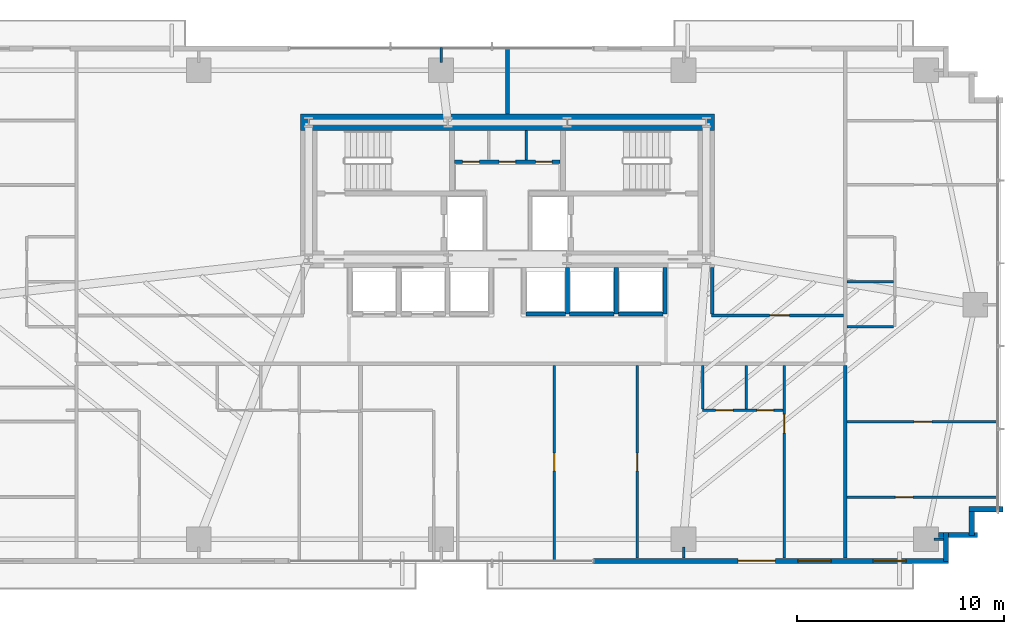
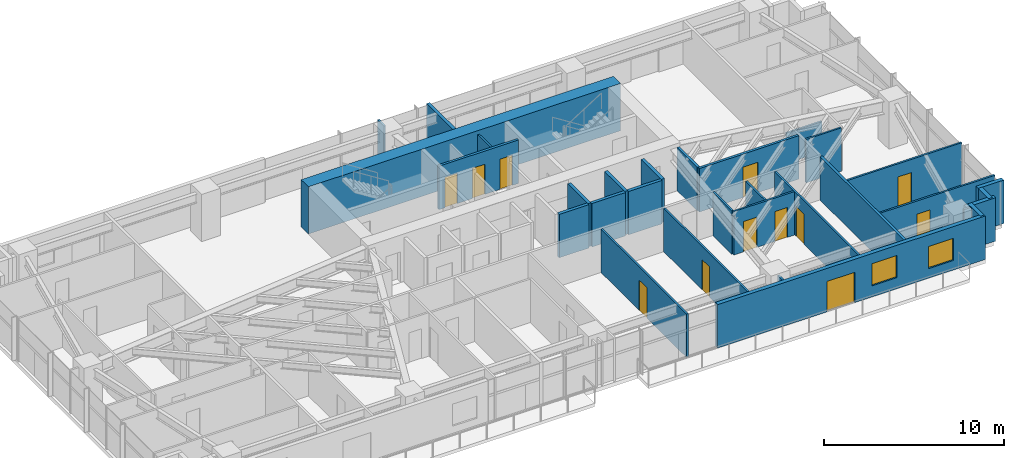
# One storey, part 21 of 25: 31 walls, 12 doors, 2 windows, 14 openings.
"""IFC4 building model written with IfcOpenShell, lengths in metres."""

from ifc_helpers import new_model, si_unit, direction, frame, frame_2d, origin, place, context, subcontext, project, spatial, rectangle, extrude, source, transform, mapped, material, layer, layer_set, type_object, type_shapes, element, fill, save


model = new_model("IFC4")

# Units and contexts
model_context = context("Model", 3, precision=1e-05, world=origin(), true_north=direction((0.0, 1.0)))
body_context = subcontext(model_context, "Body", "Model", "MODEL_VIEW")
ifc_project = project(units=[si_unit("LENGTHUNIT", "METRE"), si_unit("AREAUNIT", "SQUARE_METRE"), si_unit("VOLUMEUNIT", "CUBIC_METRE"), si_unit("PLANEANGLEUNIT", "RADIAN"), si_unit("MASSUNIT", "GRAM", prefix="KILO")], contexts=[model_context])

# Site, building, storey
site_placement = place(None, origin())
site = spatial("IfcSite", under=ifc_project, at=site_placement, CompositionType="ELEMENT")
building_placement = place(site_placement, origin())
building = spatial("IfcBuilding", under=site, at=building_placement, Name="Astriad Promenade Condominiums", CompositionType="ELEMENT")
storey_placement = place(building_placement, frame((0.0, 0.0, 29.39990234375)))
storey = spatial("IfcBuildingStorey", under=building, at=storey_placement, Name="L07", CompositionType="ELEMENT", Elevation=29.39990234375)

# Wall
ifc_material_1 = material(Name="Concrete C80/95", Category="concrete")
ifc_layer_1 = layer(ifc_material_1, 0.800048828125)
ifc_layer_set_1 = layer_set([ifc_layer_1], Name="Concrete C80/95")
wall_type_1 = type_object("IfcWallType", Name="CW-SHEAR-800", PredefinedType="SHEAR", material=ifc_layer_set_1)
wall_1_placement = place(storey_placement, frame((26.0, 24.0, 0.0), z_axis=(0.0, 0.0, 1.0), x_axis=(1.0, 0.0, 0.0)))
element("IfcWall", 1, at=wall_1_placement, inside=storey, type_object=wall_type_1, Name="CW-CORE-N-L07", PredefinedType="SHEAR", context=body_context, shape_type="SweptSolid", body=[
    extrude(rectangle(XDim=20.0, YDim=0.800048828125, at=frame_2d((10.0, 0.0))), origin(), (0.0, 0.0, 1.0), 3.2001953125),
])

# Wall, openings, doors
ifc_material_2 = material(Name="Fire-Rated Gypsum Partition")
ifc_layer_2 = layer(ifc_material_2, 0.159912109375)
ifc_layer_set_2 = layer_set([ifc_layer_2], Name="Fire-Rated Gypsum Partition")
wall_type_2 = type_object("IfcWallType", Name="WALL-CORR-160", PredefinedType="PARTITIONING", material=ifc_layer_set_2)
wall_2_placement = place(storey_placement, frame((33.451904296875, 22.10009765625, 0.0), z_axis=(0.0, 0.0, 1.0), x_axis=(1.0, 0.0, 0.0)))
wall_2 = element("IfcWall", 2, at=wall_2_placement, inside=storey, type_object=wall_type_2, Name="CW-AUX-N-L07", PredefinedType="PARTITIONING", context=body_context, shape_type="SweptSolid", body=[
    extrude(rectangle(XDim=5.09619140625, YDim=0.159912109375, at=frame_2d((2.548095703125, 0.0))), origin(), (0.0, 0.0, 1.0), 2.940185546875),
])
opening_1_placement = place(wall_2_placement, frame((0.387939453125, 0.0, 0.0)))
opening_1 = element("IfcOpeningElement", 3, at=opening_1_placement, cuts=wall_2, Name="Opening FD60-SV-080", PredefinedType="OPENING", context=body_context, shape_type="SweptSolid", body=[
    extrude(rectangle(XDim=0.800048828125, YDim=2.050048828125, at=frame_2d((0.39990234375, 1.02490234375))), frame((0.0, 0.08984375, 0.0), z_axis=(0.0, -1.0, 0.0), x_axis=(1.0, 0.0, 0.0)), (0.0, 0.0, 1.0), 0.179931640625),
])
opening_2_placement = place(wall_2_placement, frame((2.14794921875, 0.0, 0.0)))
opening_2 = element("IfcOpeningElement", 4, at=opening_2_placement, cuts=wall_2, Name="Opening FD60-SV-080", PredefinedType="OPENING", context=body_context, shape_type="SweptSolid", body=[
    extrude(rectangle(XDim=0.800048828125, YDim=2.050048828125, at=frame_2d((0.39990234375, 1.02490234375))), frame((0.0, 0.08984375, 0.0), z_axis=(0.0, -1.0, 0.0), x_axis=(1.0, 0.0, 0.0)), (0.0, 0.0, 1.0), 0.179931640625),
])
opening_3_placement = place(wall_2_placement, frame((3.907958984375, 0.0, 0.0)))
opening_3 = element("IfcOpeningElement", 5, at=opening_3_placement, cuts=wall_2, Name="Opening FD60-SV-080", PredefinedType="OPENING", context=body_context, shape_type="SweptSolid", body=[
    extrude(rectangle(XDim=0.800048828125, YDim=2.050048828125, at=frame_2d((0.39990234375, 1.02490234375))), frame((0.0, 0.08984375, 0.0), z_axis=(0.0, -1.0, 0.0), x_axis=(1.0, 0.0, 0.0)), (0.0, 0.0, 1.0), 0.179931640625),
])
ifc_material_3 = material(Name="Fire-Rated Riser Closet Door")
door_type_1 = type_object("IfcDoorType", Name="FD60-SV-080", OperationType="NOTDEFINED", PredefinedType="DOOR", material=ifc_material_3)
shared_shape_1 = source(origin(), body_context, "Body", "SweptSolid", [
    extrude(rectangle(XDim=0.800048828125, YDim=2.050048828125, at=frame_2d((0.39990234375, 1.02490234375))), frame((0.0, 0.02490234375, 0.0), z_axis=(0.0, -1.0, 0.0), x_axis=(1.0, 0.0, 0.0)), (0.0, 0.0, 1.0), 0.050048828125),
])
type_shapes(door_type_1, [shared_shape_1])
door_1_placement = place(opening_1_placement, origin())
door_1 = element("IfcDoor", 6, at=door_1_placement, inside=storey, type_object=door_type_1, Name="D-AUX1-L07", OperationType="SINGLE_SWING_RIGHT", OverallHeight=2.050048828125, OverallWidth=0.800048828125, PredefinedType="DOOR", context=body_context, shape_type="MappedRepresentation", body=[
    mapped(shared_shape_1, transform((0.0, 0.0, 0.0), scale=1.0)),
])
fill(opening_1, door_1)
door_2_placement = place(opening_2_placement, origin())
door_2 = element("IfcDoor", 7, at=door_2_placement, inside=storey, type_object=door_type_1, Name="D-AUX2-L07", OperationType="SINGLE_SWING_LEFT", OverallHeight=2.050048828125, OverallWidth=0.800048828125, PredefinedType="DOOR", context=body_context, shape_type="MappedRepresentation", body=[
    mapped(shared_shape_1, transform((0.0, 0.0, 0.0), scale=1.0)),
])
fill(opening_2, door_2)
door_3_placement = place(opening_3_placement, origin())
door_3 = element("IfcDoor", 8, at=door_3_placement, inside=storey, type_object=door_type_1, Name="D-AUX3-L07", OperationType="SINGLE_SWING_RIGHT", OverallHeight=2.050048828125, OverallWidth=0.800048828125, PredefinedType="DOOR", context=body_context, shape_type="MappedRepresentation", body=[
    mapped(shared_shape_1, transform((0.0, 0.0, 0.0), scale=1.0)),
])
fill(opening_3, door_3)

# Wall
wall_3_placement = place(storey_placement, frame((52.300048828125, 2.9619140625, 0.0), z_axis=(0.0, 0.0, 1.0), x_axis=(0.0, 1.0, 0.0)))
element("IfcWall", 9, at=wall_3_placement, inside=storey, type_object=wall_type_2, Name="PT-COR-E-L07", PredefinedType="PARTITIONING", context=body_context, shape_type="SweptSolid", body=[
    extrude(rectangle(XDim=9.30615234375, YDim=0.159912109375, at=frame_2d((4.653076171875, 0.0))), origin(), (0.0, 0.0, 1.0), 2.940185546875),
])

# Wall, opening, door
wall_4_placement = place(storey_placement, frame((45.840087890625, 14.679931640625, 0.0), z_axis=(0.0, 0.0, 1.0), x_axis=(1.0, 0.0, 0.0)))
wall_4 = element("IfcWall", 10, at=wall_4_placement, inside=storey, type_object=wall_type_2, Name="PT-FLK-NE-L07", PredefinedType="PARTITIONING", context=body_context, shape_type="SweptSolid", body=[
    extrude(rectangle(XDim=6.3779296875, YDim=0.159912109375, at=frame_2d((3.18896484375, 0.0))), origin(), (0.0, 0.0, 1.0), 2.940185546875),
])
opening_4_placement = place(wall_4_placement, frame((2.81494140625, 0.0, 0.0)))
opening_4 = element("IfcOpeningElement", 11, at=opening_4_placement, cuts=wall_4, Name="Opening FD60-APT-095", PredefinedType="OPENING", context=body_context, shape_type="SweptSolid", body=[
    extrude(rectangle(XDim=0.949951171875, YDim=2.06005859375, at=frame_2d((0.47509765625, 1.030029296875))), frame((0.0, 0.08984375, 0.0), z_axis=(0.0, -1.0, 0.0), x_axis=(1.0, 0.0, 0.0)), (0.0, 0.0, 1.0), 0.179931640625),
])
ifc_material_4 = material(Name="Solid-Core Acoustic Timber Residence Entry Door", Category="wood")
door_type_2 = type_object("IfcDoorType", Name="FD60-APT-095", OperationType="NOTDEFINED", PredefinedType="DOOR", material=ifc_material_4)
shared_shape_2 = source(origin(), body_context, "Body", "SweptSolid", [
    extrude(rectangle(XDim=0.949951171875, YDim=2.06005859375, at=frame_2d((0.47509765625, 1.030029296875))), frame((0.0, 0.02490234375, 0.0), z_axis=(0.0, -1.0, 0.0), x_axis=(1.0, 0.0, 0.0)), (0.0, 0.0, 1.0), 0.050048828125),
])
type_shapes(door_type_2, [shared_shape_2])
door_4_placement = place(opening_4_placement, origin())
door_4 = element("IfcDoor", 12, at=door_4_placement, inside=storey, type_object=door_type_2, Name="D-NEA-L07", OperationType="SINGLE_SWING_RIGHT", OverallHeight=2.06005859375, OverallWidth=0.949951171875, PredefinedType="DOOR", context=body_context, shape_type="MappedRepresentation", body=[
    mapped(shared_shape_2, transform((0.0, 0.0, 0.0), scale=1.0)),
])
fill(opening_4, door_4)

# Walls
wall_5_placement = place(storey_placement, frame((45.8798828125, 14.761962890625, 0.0), z_axis=(0.0, 0.0, 1.0), x_axis=(0.0, 1.0, 0.0)))
element("IfcWall", 13, at=wall_5_placement, inside=storey, type_object=wall_type_2, Name="PT-ESPUR-E-L07", PredefinedType="PARTITIONING", context=body_context, shape_type="SweptSolid", body=[
    extrude(rectangle(XDim=2.236083984375, YDim=0.159912109375, at=frame_2d((1.1181640625, 0.0))), origin(), (0.0, 0.0, 1.0), 2.940185546875),
])
ifc_material_5 = material(Name="Acoustic Double-Stud Gypsum Partition")
ifc_layer_3 = layer(ifc_material_5, 0.199951171875)
ifc_layer_set_3 = layer_set([ifc_layer_3], Name="Acoustic Double-Stud Gypsum Partition")
wall_type_3 = type_object("IfcWallType", Name="WALL-DEMISING-200", PredefinedType="PARTITIONING", material=ifc_layer_set_3)
wall_6_placement = place(storey_placement, frame((36.0, 24.402099609375, 0.0), z_axis=(0.0, 0.0, 1.0), x_axis=(0.0, 1.0, 0.0)))
element("IfcWall", 14, at=wall_6_placement, inside=storey, type_object=wall_type_3, Name="PT-NC-MID-L07", PredefinedType="PARTITIONING", context=body_context, shape_type="SweptSolid", body=[
    extrude(rectangle(XDim=3.218017578125, YDim=0.199951171875, at=frame_2d((1.60888671875, 0.0))), origin(), (0.0, 0.0, 1.0), 2.940185546875),
])
ifc_material_6 = material(Name="Precast concrete C50/60", Category="concrete")
ifc_layer_4 = layer(ifc_material_6, 0.260009765625)
ifc_layer_set_4 = layer_set([ifc_layer_4], Name="Precast concrete C50/60")
wall_type_4 = type_object("IfcWallType", Name="WALL-EXT-TWR-260", PredefinedType="STANDARD", material=ifc_layer_set_4)
wall_7_placement = place(storey_placement, frame((59.929931640625, 5.330078125, 0.0), z_axis=(0.0, 0.0, 1.0), x_axis=(-1.0, 0.0, 0.0)))
element("IfcWall", 15, at=wall_7_placement, inside=storey, type_object=wall_type_4, Name="W-SER-L07-14", PredefinedType="STANDARD", context=body_context, shape_type="SweptSolid", body=[
    extrude(rectangle(XDim=1.639892578125, YDim=0.260009765625, at=frame_2d((0.81982421875, 0.0))), origin(), (0.0, 0.0, 1.0), 2.940185546875),
])
wall_8_placement = place(storey_placement, frame((58.419921875, 5.215087890625, 0.0), z_axis=(0.0, 0.0, 1.0), x_axis=(0.0, -1.0, 0.0)))
element("IfcWall", 16, at=wall_8_placement, inside=storey, type_object=wall_type_4, Name="W-SER-L07-15", PredefinedType="STANDARD", context=body_context, shape_type="SweptSolid", body=[
    extrude(rectangle(XDim=1.150146484375, YDim=0.260009765625, at=frame_2d((0.5751953125, 0.0))), origin(), (0.0, 0.0, 1.0), 2.940185546875),
])
wall_9_placement = place(storey_placement, frame((58.679931640625, 4.080078125, 0.0), z_axis=(0.0, 0.0, 1.0), x_axis=(-1.0, 0.0, 0.0)))
element("IfcWall", 17, at=wall_9_placement, inside=storey, type_object=wall_type_4, Name="W-SER-L07-16", PredefinedType="STANDARD", context=body_context, shape_type="SweptSolid", body=[
    extrude(rectangle(XDim=1.8779296875, YDim=0.260009765625, at=frame_2d((0.93896484375, 0.0))), origin(), (0.0, 0.0, 1.0), 2.940185546875),
])
wall_10_placement = place(storey_placement, frame((57.169921875, 4.2099609375, 0.0), z_axis=(0.0, 0.0, 1.0), x_axis=(0.0, -1.0, 0.0)))
element("IfcWall", 18, at=wall_10_placement, inside=storey, type_object=wall_type_4, Name="W-SER-L07-17", PredefinedType="STANDARD", context=body_context, shape_type="SweptSolid", body=[
    extrude(rectangle(XDim=1.39501953125, YDim=0.260009765625, at=frame_2d((0.697509765625, 0.0))), origin(), (0.0, 0.0, 1.0), 2.940185546875),
])

# Wall, openings, door, windows
wall_11_placement = place(storey_placement, frame((57.300048828125, 2.830078125, 0.0), z_axis=(0.0, 0.0, 1.0), x_axis=(-1.0, 0.0, 0.0)))
wall_11 = element("IfcWall", 19, at=wall_11_placement, inside=storey, type_object=wall_type_4, Name="W-EXT-L07-S1", PredefinedType="STANDARD", context=body_context, shape_type="SweptSolid", body=[
    extrude(rectangle(XDim=17.150146484375, YDim=0.260009765625, at=frame_2d((8.5751953125, 0.0))), origin(), (0.0, 0.0, 1.0), 2.940185546875),
])
opening_5_placement = place(wall_11_placement, frame((8.362060546875, 0.0, 0.0)))
opening_5 = element("IfcOpeningElement", 20, at=opening_5_placement, cuts=wall_11, Name="Opening BD-1822-SLD", PredefinedType="OPENING", context=body_context, shape_type="SweptSolid", body=[
    extrude(rectangle(XDim=1.800048828125, YDim=2.06005859375, at=frame_2d((0.89990234375, 1.030029296875))), frame((0.0, 0.139892578125, 0.0), z_axis=(0.0, -1.0, 0.0), x_axis=(1.0, 0.0, 0.0)), (0.0, 0.0, 1.0), 0.280029296875),
])
opening_6_placement = place(wall_11_placement, frame((2.050048828125, 0.0, 0.64990234375)))
opening_6 = element("IfcOpeningElement", 21, at=opening_6_placement, cuts=wall_11, Name="Opening WIN-TWR-1620", PredefinedType="OPENING", context=body_context, shape_type="SweptSolid", body=[
    extrude(rectangle(XDim=1.60009765625, YDim=1.5, at=frame_2d((0.800048828125, 0.75))), frame((0.0, 0.139892578125, 0.0), z_axis=(0.0, -1.0, 0.0), x_axis=(1.0, 0.0, 0.0)), (0.0, 0.0, 1.0), 0.280029296875),
])
opening_7_placement = place(wall_11_placement, frame((5.675048828125, 0.0, 0.75)))
opening_7 = element("IfcOpeningElement", 22, at=opening_7_placement, cuts=wall_11, Name="Opening WIN-TWR-1620", PredefinedType="OPENING", context=body_context, shape_type="SweptSolid", body=[
    extrude(rectangle(XDim=1.60009765625, YDim=1.5, at=frame_2d((0.800048828125, 0.75))), frame((0.0, 0.139892578125, 0.0), z_axis=(0.0, -1.0, 0.0), x_axis=(1.0, 0.0, 0.0)), (0.0, 0.0, 1.0), 0.280029296875),
])
ifc_material_7 = material(Name="Thermally Broken Aluminium Sliding Balcony Door", Category="aluminium")
door_type_3 = type_object("IfcDoorType", Name="BD-1822-SLD", OperationType="NOTDEFINED", PredefinedType="DOOR", material=ifc_material_7)
shared_shape_3 = source(origin(), body_context, "Body", "SweptSolid", [
    extrude(rectangle(XDim=1.800048828125, YDim=2.06005859375, at=frame_2d((0.89990234375, 1.030029296875))), frame((0.0, 0.02490234375, 0.0), z_axis=(0.0, -1.0, 0.0), x_axis=(1.0, 0.0, 0.0)), (0.0, 0.0, 1.0), 0.050048828125),
])
type_shapes(door_type_3, [shared_shape_3])
door_5_placement = place(opening_5_placement, origin())
door_5 = element("IfcDoor", 23, at=door_5_placement, inside=storey, type_object=door_type_3, Name="BD-L07-SE", OperationType="SLIDING_TO_RIGHT", OverallHeight=2.06005859375, OverallWidth=1.800048828125, PredefinedType="DOOR", context=body_context, shape_type="MappedRepresentation", body=[
    mapped(shared_shape_3, transform((0.0, 0.0, 0.0), scale=1.0)),
])
fill(opening_5, door_5)
ifc_material_8 = material(Name="Dark Tinted Triple-Glazed Aluminium Window", Category="aluminium")
window_type = type_object("IfcWindowType", Name="WIN-TWR-1620", PartitioningType="SINGLE_PANEL", PredefinedType="WINDOW", material=ifc_material_8)
shared_shape_4 = source(origin(), body_context, "Body", "SweptSolid", [
    extrude(rectangle(XDim=1.60009765625, YDim=1.5, at=frame_2d((0.800048828125, 0.75))), frame((0.0, 0.030029296875, 0.0), z_axis=(0.0, -1.0, 0.0), x_axis=(1.0, 0.0, 0.0)), (0.0, 0.0, 1.0), 0.06005859375),
])
type_shapes(window_type, [shared_shape_4])
window_1_placement = place(opening_6_placement, origin())
window_1 = element("IfcWindow", 24, at=window_1_placement, inside=storey, type_object=window_type, Name="WIN-L07-SE", OverallHeight=1.5, OverallWidth=1.60009765625, PartitioningType="SINGLE_PANEL", PredefinedType="WINDOW", context=body_context, shape_type="MappedRepresentation", body=[
    mapped(shared_shape_4, transform((0.0, 0.0, 0.0), scale=1.0)),
])
fill(opening_6, window_1)
window_2_placement = place(opening_7_placement, origin())
window_2 = element("IfcWindow", 25, at=window_2_placement, inside=storey, type_object=window_type, Name="WIN-DW-L07-S2-BD1", OverallHeight=1.5, OverallWidth=1.60009765625, PartitioningType="SINGLE_PANEL", PredefinedType="WINDOW", context=body_context, shape_type="MappedRepresentation", body=[
    mapped(shared_shape_4, transform((0.0, 0.0, 0.0), scale=1.0)),
])
fill(opening_7, window_2)

# Wall
ifc_material_9 = material(Name="Acoustic Metal-Stud Gypsum Partition")
ifc_layer_5 = layer(ifc_material_9, 0.1201171875)
ifc_layer_set_5 = layer_set([ifc_layer_5], Name="Acoustic Metal-Stud Gypsum Partition")
wall_type_5 = type_object("IfcWallType", Name="WALL-PART-120", PredefinedType="PARTITIONING", material=ifc_layer_set_5)
wall_12_placement = place(storey_placement, frame((36.89990234375, 22.181884765625, 0.0), z_axis=(0.0, 0.0, 1.0), x_axis=(0.0, 1.0, 0.0)))
element("IfcWall", 26, at=wall_12_placement, inside=storey, type_object=wall_type_5, Name="CW-AUX-V2-L07", PredefinedType="PARTITIONING", context=body_context, shape_type="SweptSolid", body=[
    extrude(rectangle(XDim=1.416015625, YDim=0.1201171875, at=frame_2d((0.7080078125, 0.0))), origin(), (0.0, 0.0, 1.0), 2.940185546875),
])

# Wall, opening, door
wall_13_placement = place(storey_placement, frame((49.3701171875, 2.9619140625, 0.0), z_axis=(0.0, 0.0, 1.0), x_axis=(0.0, 1.0, 0.0)))
wall_13 = element("IfcWall", 27, at=wall_13_placement, inside=storey, type_object=wall_type_5, Name="PT-L07-S2-BD1", PredefinedType="PARTITIONING", context=body_context, shape_type="SweptSolid", body=[
    extrude(rectangle(XDim=9.30615234375, YDim=0.1201171875, at=frame_2d((4.653076171875, 0.0))), origin(), (0.0, 0.0, 1.0), 2.940185546875),
])
opening_8_placement = place(wall_13_placement, frame((6.0380859375, 0.0, 0.0)))
opening_8 = element("IfcOpeningElement", 28, at=opening_8_placement, cuts=wall_13, Name="Opening D-INT-090", PredefinedType="OPENING", context=body_context, shape_type="SweptSolid", body=[
    extrude(rectangle(XDim=0.89990234375, YDim=2.050048828125, at=frame_2d((0.449951171875, 1.02490234375))), frame((0.0, 0.070068359375, 0.0), z_axis=(0.0, -1.0, 0.0), x_axis=(1.0, 0.0, 0.0)), (0.0, 0.0, 1.0), 0.14013671875),
])
ifc_material_10 = material(Name="Painted Solid-Core Timber Bedroom Door", Category="wood")
door_type_4 = type_object("IfcDoorType", Name="D-INT-090", OperationType="NOTDEFINED", PredefinedType="DOOR", material=ifc_material_10)
shared_shape_5 = source(origin(), body_context, "Body", "SweptSolid", [
    extrude(rectangle(XDim=0.89990234375, YDim=2.050048828125, at=frame_2d((0.449951171875, 1.02490234375))), frame((0.0, 0.02490234375, 0.0), z_axis=(0.0, -1.0, 0.0), x_axis=(1.0, 0.0, 0.0)), (0.0, 0.0, 1.0), 0.050048828125),
])
type_shapes(door_type_4, [shared_shape_5])
door_6_placement = place(opening_8_placement, origin())
door_6 = element("IfcDoor", 29, at=door_6_placement, inside=storey, type_object=door_type_4, Name="D-BD1-L07-S2", OperationType="SINGLE_SWING_RIGHT", OverallHeight=2.050048828125, OverallWidth=0.89990234375, PredefinedType="DOOR", context=body_context, shape_type="MappedRepresentation", body=[
    mapped(shared_shape_5, transform((0.0, 0.0, 0.0), scale=1.0)),
])
fill(opening_8, door_6)

# Wall, openings, doors
wall_14_placement = place(storey_placement, frame((45.419921875, 10.10009765625, 0.0), z_axis=(0.0, 0.0, 1.0), x_axis=(1.0, 0.0, 0.0)))
wall_14 = element("IfcWall", 30, at=wall_14_placement, inside=storey, type_object=wall_type_5, Name="PT-L07-S2-PS", PredefinedType="PARTITIONING", context=body_context, shape_type="SweptSolid", body=[
    extrude(rectangle(XDim=3.88818359375, YDim=0.1201171875, at=frame_2d((1.944091796875, 0.0))), origin(), (0.0, 0.0, 1.0), 2.940185546875),
])
opening_9_placement = place(wall_14_placement, frame((0.625, 0.0, 0.0)))
opening_9 = element("IfcOpeningElement", 31, at=opening_9_placement, cuts=wall_14, Name="Opening D-INT-085", PredefinedType="OPENING", context=body_context, shape_type="SweptSolid", body=[
    extrude(rectangle(XDim=0.85009765625, YDim=2.050048828125, at=frame_2d((0.425048828125, 1.02490234375))), frame((0.0, 0.070068359375, 0.0), z_axis=(0.0, -1.0, 0.0), x_axis=(1.0, 0.0, 0.0)), (0.0, 0.0, 1.0), 0.14013671875),
])
opening_10_placement = place(wall_14_placement, frame((2.625, 0.0, 0.0)))
opening_10 = element("IfcOpeningElement", 32, at=opening_10_placement, cuts=wall_14, Name="Opening D-WET-080", PredefinedType="OPENING", context=body_context, shape_type="SweptSolid", body=[
    extrude(rectangle(XDim=0.800048828125, YDim=2.02001953125, at=frame_2d((0.39990234375, 1.010009765625))), frame((0.0, 0.070068359375, 0.0), z_axis=(0.0, -1.0, 0.0), x_axis=(1.0, 0.0, 0.0)), (0.0, 0.0, 1.0), 0.14013671875),
])
ifc_material_11 = material(Name="Moisture-Resistant Timber Bathroom Door", Category="wood")
door_type_5 = type_object("IfcDoorType", Name="D-WET-080", OperationType="NOTDEFINED", PredefinedType="DOOR", material=ifc_material_11)
shared_shape_6 = source(origin(), body_context, "Body", "SweptSolid", [
    extrude(rectangle(XDim=0.800048828125, YDim=2.02001953125, at=frame_2d((0.39990234375, 1.010009765625))), frame((0.0, 0.02490234375, 0.0), z_axis=(0.0, -1.0, 0.0), x_axis=(1.0, 0.0, 0.0)), (0.0, 0.0, 1.0), 0.050048828125),
])
type_shapes(door_type_5, [shared_shape_6])
door_7_placement = place(opening_10_placement, origin())
door_7 = element("IfcDoor", 33, at=door_7_placement, inside=storey, type_object=door_type_5, Name="D-BTH-L07-S2", OperationType="SINGLE_SWING_RIGHT", OverallHeight=2.02001953125, OverallWidth=0.800048828125, PredefinedType="DOOR", context=body_context, shape_type="MappedRepresentation", body=[
    mapped(shared_shape_6, transform((0.0, 0.0, 0.0), scale=1.0)),
])
fill(opening_10, door_7)
ifc_material_12 = material(Name="Painted Solid-Core Timber Room Door", Category="wood")
door_type_6 = type_object("IfcDoorType", Name="D-INT-085", OperationType="NOTDEFINED", PredefinedType="DOOR", material=ifc_material_12)
shared_shape_7 = source(origin(), body_context, "Body", "SweptSolid", [
    extrude(rectangle(XDim=0.85009765625, YDim=2.050048828125, at=frame_2d((0.425048828125, 1.02490234375))), frame((0.0, 0.02490234375, 0.0), z_axis=(0.0, -1.0, 0.0), x_axis=(1.0, 0.0, 0.0)), (0.0, 0.0, 1.0), 0.050048828125),
])
type_shapes(door_type_6, [shared_shape_7])
door_8_placement = place(opening_9_placement, origin())
door_8 = element("IfcDoor", 34, at=door_8_placement, inside=storey, type_object=door_type_6, Name="D-KIT-L07-S2", OperationType="SINGLE_SWING_LEFT", OverallHeight=2.050048828125, OverallWidth=0.85009765625, PredefinedType="DOOR", context=body_context, shape_type="MappedRepresentation", body=[
    mapped(shared_shape_7, transform((0.0, 0.0, 0.0), scale=1.0)),
])
fill(opening_9, door_8)

# Walls
for number, where, z_axis, x_axis, name in (
    (35, (47.52001953125, 10.162109375, 0.0), (0.0, 0.0, 1.0), (0.0, 1.0, 0.0), "PT-L07-S2-PBK"),
    (36, (45.419921875, 10.162109375, 0.0), (0.0, 0.0, 1.0), (0.0, 1.0, 0.0), "PT-L07-S2-PKW"),
):
    element("IfcWall", number, at=place(storey_placement, frame(where, z_axis=z_axis, x_axis=x_axis)), inside=storey, type_object=wall_type_5, Name=name, PredefinedType="PARTITIONING", context=body_context, shape_type="SweptSolid", body=[
        extrude(rectangle(XDim=2.10595703125, YDim=0.1201171875, at=frame_2d((1.052978515625, 0.0))), origin(), (0.0, 0.0, 1.0), 2.940185546875),
    ])

# Wall, opening, door
wall_15_placement = place(storey_placement, frame((38.258056640625, 2.780029296875, 0.0), z_axis=(0.0, 0.0, 1.0), x_axis=(0.0, 1.0, 0.0)))
wall_15 = element("IfcWall", 37, at=wall_15_placement, inside=storey, type_object=wall_type_5, Name="PT-L07-S2-CAP2", PredefinedType="PARTITIONING", context=body_context, shape_type="SweptSolid", body=[
    extrude(rectangle(XDim=9.488037109375, YDim=0.1201171875, at=frame_2d((4.744140625, 0.0))), origin(), (0.0, 0.0, 1.0), 2.940185546875),
])
opening_11_placement = place(wall_15_placement, frame((4.39990234375, 0.0, 0.0)))
opening_11 = element("IfcOpeningElement", 38, at=opening_11_placement, cuts=wall_15, Name="Opening D-INT-085", PredefinedType="OPENING", context=body_context, shape_type="SweptSolid", body=[
    extrude(rectangle(XDim=0.85009765625, YDim=2.050048828125, at=frame_2d((0.425048828125, 1.02490234375))), frame((0.0, 0.070068359375, 0.0), z_axis=(0.0, -1.0, 0.0), x_axis=(1.0, 0.0, 0.0)), (0.0, 0.0, 1.0), 0.14013671875),
])
door_9_placement = place(opening_11_placement, origin())
door_9 = element("IfcDoor", 39, at=door_9_placement, inside=storey, type_object=door_type_6, Name="D-CAP2-L07-S2", OperationType="SINGLE_SWING_LEFT", OverallHeight=2.050048828125, OverallWidth=0.85009765625, PredefinedType="DOOR", context=body_context, shape_type="MappedRepresentation", body=[
    mapped(shared_shape_7, transform((0.0, 0.0, 0.0), scale=1.0)),
])
fill(opening_11, door_9)

wall_16_placement = place(storey_placement, frame((42.27490234375, 2.9619140625, 0.0), z_axis=(0.0, 0.0, 1.0), x_axis=(0.0, 1.0, 0.0)))
wall_16 = element("IfcWall", 40, at=wall_16_placement, inside=storey, type_object=wall_type_5, Name="PT-L07-S2-CAP3", PredefinedType="PARTITIONING", context=body_context, shape_type="SweptSolid", body=[
    extrude(rectangle(XDim=9.30615234375, YDim=0.1201171875, at=frame_2d((4.653076171875, 0.0))), origin(), (0.0, 0.0, 1.0), 2.940185546875),
])
opening_12_placement = place(wall_16_placement, frame((4.218017578125, 0.0, 0.0)))
opening_12 = element("IfcOpeningElement", 41, at=opening_12_placement, cuts=wall_16, Name="Opening D-INT-085", PredefinedType="OPENING", context=body_context, shape_type="SweptSolid", body=[
    extrude(rectangle(XDim=0.85009765625, YDim=2.050048828125, at=frame_2d((0.425048828125, 1.02490234375))), frame((0.0, 0.070068359375, 0.0), z_axis=(0.0, -1.0, 0.0), x_axis=(1.0, 0.0, 0.0)), (0.0, 0.0, 1.0), 0.14013671875),
])
door_10_placement = place(opening_12_placement, origin())
door_10 = element("IfcDoor", 42, at=door_10_placement, inside=storey, type_object=door_type_6, Name="D-CAP3-L07-S2", OperationType="SINGLE_SWING_RIGHT", OverallHeight=2.050048828125, OverallWidth=0.85009765625, PredefinedType="DOOR", context=body_context, shape_type="MappedRepresentation", body=[
    mapped(shared_shape_7, transform((0.0, 0.0, 0.0), scale=1.0)),
])
fill(opening_12, door_10)

# Walls
wall_17_placement = place(storey_placement, frame((52.382080078125, 16.31103515625, 0.0), z_axis=(0.0, 0.0, 1.0), x_axis=(1.0, 0.0, 0.0)))
element("IfcWall", 43, at=wall_17_placement, inside=storey, type_object=wall_type_5, Name="PT-L07-E1-PM", PredefinedType="PARTITIONING", context=body_context, shape_type="SweptSolid", body=[
    extrude(rectangle(XDim=2.255859375, YDim=0.1201171875, at=frame_2d((1.1279296875, 0.0))), origin(), (0.0, 0.0, 1.0), 2.044921875),
])
wall_18_placement = place(storey_placement, frame((52.382080078125, 14.135986328125, 0.0), z_axis=(0.0, 0.0, 1.0), x_axis=(1.0, 0.0, 0.0)))
element("IfcWall", 44, at=wall_18_placement, inside=storey, type_object=wall_type_5, Name="PT-L07-E1-PS", PredefinedType="PARTITIONING", context=body_context, shape_type="SweptSolid", body=[
    extrude(rectangle(XDim=2.255859375, YDim=0.1201171875, at=frame_2d((1.1279296875, 0.0))), origin(), (0.0, 0.0, 1.0), 2.940185546875),
])

# Wall, opening, door
wall_19_placement = place(storey_placement, frame((52.382080078125, 5.909912109375, 0.0), z_axis=(0.0, 0.0, 1.0), x_axis=(1.0, 0.0, 0.0)))
wall_19 = element("IfcWall", 45, at=wall_19_placement, inside=storey, type_object=wall_type_5, Name="PT-L07-E1-B2", PredefinedType="PARTITIONING", context=body_context, shape_type="SweptSolid", body=[
    extrude(rectangle(XDim=7.337890625, YDim=0.1201171875, at=frame_2d((3.6689453125, 0.0))), origin(), (0.0, 0.0, 1.0), 2.940185546875),
])
opening_13_placement = place(wall_19_placement, frame((2.340087890625, 0.0, 0.0)))
opening_13 = element("IfcOpeningElement", 46, at=opening_13_placement, cuts=wall_19, Name="Opening D-INT-085", PredefinedType="OPENING", context=body_context, shape_type="SweptSolid", body=[
    extrude(rectangle(XDim=0.85009765625, YDim=2.050048828125, at=frame_2d((0.425048828125, 1.02490234375))), frame((0.0, 0.070068359375, 0.0), z_axis=(0.0, -1.0, 0.0), x_axis=(1.0, 0.0, 0.0)), (0.0, 0.0, 1.0), 0.14013671875),
])
door_11_placement = place(opening_13_placement, origin())
door_11 = element("IfcDoor", 47, at=door_11_placement, inside=storey, type_object=door_type_6, Name="D-BD2-L07-E1", OperationType="SINGLE_SWING_RIGHT", OverallHeight=2.050048828125, OverallWidth=0.85009765625, PredefinedType="DOOR", context=body_context, shape_type="MappedRepresentation", body=[
    mapped(shared_shape_7, transform((0.0, 0.0, 0.0), scale=1.0)),
])
fill(opening_13, door_11)

wall_20_placement = place(storey_placement, frame((52.382080078125, 9.553955078125, 0.0), z_axis=(0.0, 0.0, 1.0), x_axis=(1.0, 0.0, 0.0)))
wall_20 = element("IfcWall", 48, at=wall_20_placement, inside=storey, type_object=wall_type_5, Name="PT-L07-E1-WDS1", PredefinedType="PARTITIONING", context=body_context, shape_type="SweptSolid", body=[
    extrude(rectangle(XDim=7.337890625, YDim=0.1201171875, at=frame_2d((3.6689453125, 0.0))), origin(), (0.0, 0.0, 1.0), 2.940185546875),
])
opening_14_placement = place(wall_20_placement, frame((3.2529296875, 0.0, 0.0)))
opening_14 = element("IfcOpeningElement", 49, at=opening_14_placement, cuts=wall_20, Name="Opening D-INT-085", PredefinedType="OPENING", context=body_context, shape_type="SweptSolid", body=[
    extrude(rectangle(XDim=0.85009765625, YDim=2.050048828125, at=frame_2d((0.425048828125, 1.02490234375))), frame((0.0, 0.070068359375, 0.0), z_axis=(0.0, -1.0, 0.0), x_axis=(1.0, 0.0, 0.0)), (0.0, 0.0, 1.0), 0.14013671875),
])
door_12_placement = place(opening_14_placement, origin())
door_12 = element("IfcDoor", 50, at=door_12_placement, inside=storey, type_object=door_type_6, Name="D-WDS1-L07-E1", OperationType="SINGLE_SWING_LEFT", OverallHeight=2.050048828125, OverallWidth=0.85009765625, PredefinedType="DOOR", context=body_context, shape_type="MappedRepresentation", body=[
    mapped(shared_shape_7, transform((0.0, 0.0, 0.0), scale=1.0)),
])
fill(opening_14, door_12)

# Walls
wall_21_placement = place(storey_placement, frame((44.5, 3.5, 0.0), z_axis=(0.0, 0.0, 1.0), x_axis=(0.0, -1.0, 0.0)))
element("IfcWall", 51, at=wall_21_placement, inside=storey, type_object=wall_type_5, Name="PT-PIL-L07-PC04-11", PredefinedType="PARTITIONING", context=body_context, shape_type="SweptSolid", body=[
    extrude(rectangle(XDim=0.5380859375, YDim=0.1201171875, at=frame_2d((0.26904296875, 0.0))), origin(), (0.0, 0.0, 1.0), 2.940185546875),
])
wall_22_placement = place(storey_placement, frame((56.580078125, 3.8798828125, 0.0), z_axis=(0.0, 0.0, 1.0), x_axis=(1.0, 0.0, 0.0)))
element("IfcWall", 52, at=wall_22_placement, inside=storey, type_object=wall_type_5, Name="PT-PIL-L07-PC05-12", PredefinedType="PARTITIONING", context=body_context, shape_type="SweptSolid", body=[
    extrude(rectangle(XDim=0.4580078125, YDim=0.1201171875, at=frame_2d((0.22900390625, 0.0))), origin(), (0.0, 0.0, 1.0), 2.940185546875),
])
wall_23_placement = place(storey_placement, frame((32.800048828125, 26.89990234375, 0.0), z_axis=(0.0, 0.0, 1.0), x_axis=(0.0, 1.0, 0.0)))
element("IfcWall", 53, at=wall_23_placement, inside=storey, type_object=wall_type_5, Name="PT-PIL-L07-PC08-15", PredefinedType="PARTITIONING", context=body_context, shape_type="SweptSolid", body=[
    extrude(rectangle(XDim=0.72021484375, YDim=0.1201171875, at=frame_2d((0.360107421875, 0.0))), origin(), (0.0, 0.0, 1.0), 2.940185546875),
])
ifc_material_13 = material(Name="Gypsum Shaftliner Assembly")
ifc_layer_6 = layer(ifc_material_13, 0.199951171875)
ifc_layer_set_6 = layer_set([ifc_layer_6], Name="Gypsum Shaftliner Assembly")
wall_type_6 = type_object("IfcWallType", Name="WALL-SHAFT-200", PredefinedType="PARTITIONING", material=ifc_layer_set_6)
wall_24_placement = place(storey_placement, frame((38.89990234375, 14.75, 0.0), z_axis=(0.0, 0.0, 1.0), x_axis=(0.0, 1.0, 0.0)))
element("IfcWall", 54, at=wall_24_placement, inside=storey, type_object=wall_type_6, Name="PL-MH-DIV-L07", PredefinedType="PARTITIONING", context=body_context, shape_type="SweptSolid", body=[
    extrude(rectangle(XDim=2.248046875, YDim=0.199951171875, at=frame_2d((1.1240234375, 0.0))), origin(), (0.0, 0.0, 1.0), 2.940185546875),
])
wall_25_placement = place(storey_placement, frame((36.902099609375, 14.75, 0.0), z_axis=(0.0, 0.0, 1.0), x_axis=(1.0, 0.0, 0.0)))
element("IfcWall", 55, at=wall_25_placement, inside=storey, type_object=wall_type_6, Name="PL-M2-F-L07", PredefinedType="PARTITIONING", context=body_context, shape_type="SweptSolid", body=[
    extrude(rectangle(XDim=1.89599609375, YDim=0.199951171875, at=frame_2d((0.947998046875, 0.0))), origin(), (0.0, 0.0, 1.0), 2.940185546875),
])
for number, where, z_axis, x_axis, name in (
    (56, (41.25, 14.75, 0.0), (0.0, 0.0, 1.0), (0.0, 1.0, 0.0), "PL-H-DIV-L07"),
    (57, (43.60009765625, 14.75, 0.0), (0.0, 0.0, 1.0), (0.0, 1.0, 0.0), "PL-E-OUT-L07"),
):
    element("IfcWall", number, at=place(storey_placement, frame(where, z_axis=z_axis, x_axis=x_axis)), inside=storey, type_object=wall_type_6, Name=name, PredefinedType="PARTITIONING", context=body_context, shape_type="SweptSolid", body=[
        extrude(rectangle(XDim=2.248046875, YDim=0.199951171875, at=frame_2d((1.1240234375, 0.0))), origin(), (0.0, 0.0, 1.0), 2.940185546875),
    ])
for number, where, z_axis, x_axis, name in (
    (58, (39.001953125, 14.75, 0.0), (0.0, 0.0, 1.0), (1.0, 0.0, 0.0), "PL-H-FRT-L07"),
    (59, (41.35205078125, 14.75, 0.0), (0.0, 0.0, 1.0), (1.0, 0.0, 0.0), "PL-H-FRT-L07-S2"),
):
    element("IfcWall", number, at=place(storey_placement, frame(where, z_axis=z_axis, x_axis=x_axis)), inside=storey, type_object=wall_type_6, Name=name, PredefinedType="PARTITIONING", context=body_context, shape_type="SweptSolid", body=[
        extrude(rectangle(XDim=2.14599609375, YDim=0.199951171875, at=frame_2d((1.072998046875, 0.0))), origin(), (0.0, 0.0, 1.0), 2.940185546875),
    ])

save(model, "model.ifc")
